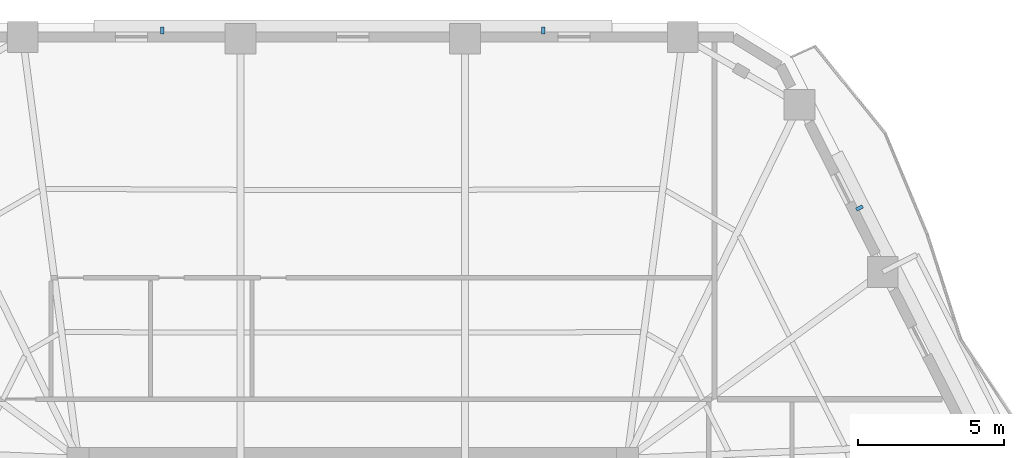
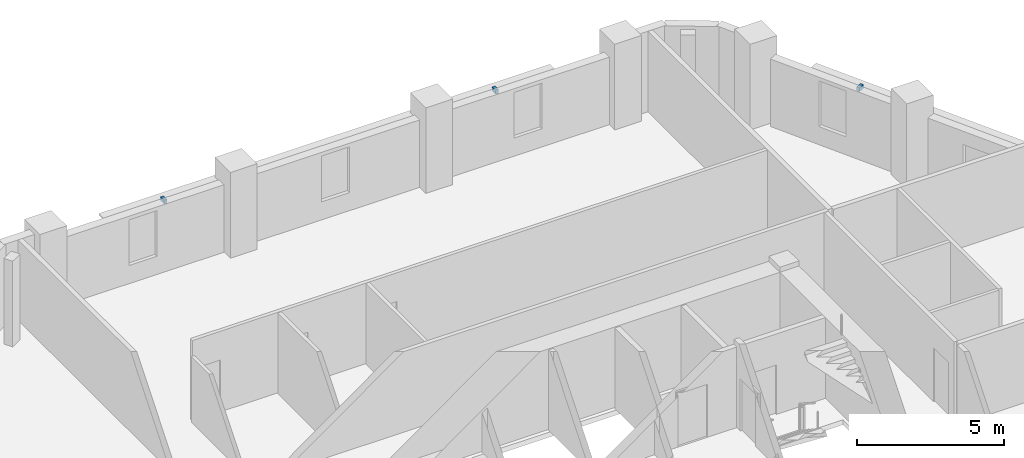
# One storey, part 9 of 12: 3 discrete accessories.
"""IFC4 building model written with IfcOpenShell, lengths in metres."""

from ifc_helpers import new_model, si_unit, direction, frame, origin, origin_2d, place, context, subcontext, project, spatial, rectangle, extrude, material, type_object, element, save


model = new_model("IFC4")

# Units and contexts
model_context = context("Model", 3, precision=1e-05, world=origin(), true_north=direction((0.0, 1.0)))
body_context = subcontext(model_context, "Body", "Model", "MODEL_VIEW")
ifc_project = project(units=[si_unit("LENGTHUNIT", "METRE"), si_unit("AREAUNIT", "SQUARE_METRE"), si_unit("VOLUMEUNIT", "CUBIC_METRE"), si_unit("PLANEANGLEUNIT", "RADIAN"), si_unit("MASSUNIT", "GRAM", prefix="KILO")], contexts=[model_context])

# Site, building, storey
site_placement = place(None, origin())
site = spatial("IfcSite", under=ifc_project, at=site_placement, CompositionType="ELEMENT")
building_placement = place(site_placement, origin())
building = spatial("IfcBuilding", under=site, at=building_placement, Name="Cinnabar Lancet Tower", CompositionType="ELEMENT")
storey_placement = place(building_placement, frame((0.0, 0.0, 123.25)))
storey = spatial("IfcBuildingStorey", under=building, at=storey_placement, Name="L32", CompositionType="ELEMENT", Elevation=123.25)

# Discrete accessories
ifc_material = material(Name="Stainless steel 316 facade fixing bracket", Category="steel")
discrete_accessory_type = type_object("IfcDiscreteAccessoryType", Name="ENV-ACC-BRK-180", PredefinedType="BRACKET", material=ifc_material)
for number, where, z_axis, x_axis, name in (
    (1, (49.698974609375, 41.827880859375, 2.60009765625), (0.0, 0.0, 1.0), (-0.451453853408, 0.892294468347, 0.0), "L32 Face 3 Sunshade Bracket B"),
    (2, (38.90087890625, 47.889892578125, 2.60009765625), (0.0, 0.0, 1.0), (-1.0, 0.0, 0.0), "L32 Face 4 Sunshade Bracket A"),
    (3, (25.89892578125, 47.889892578125, 2.60009765625), (0.0, 0.0, 1.0), (-1.0, 0.0, 0.0), "L32 Face 4 Sunshade Bracket B"),
):
    element("IfcDiscreteAccessory", number, at=place(storey_placement, frame(where, z_axis=z_axis, x_axis=x_axis)), inside=storey, type_object=discrete_accessory_type, Name=name, PredefinedType="BRACKET", context=body_context, shape_type="SweptSolid", body=[
        extrude(rectangle(XDim=0.1201171875, YDim=0.239990234375, at=origin_2d()), origin(), (0.0, 0.0, 1.0), 0.159912109375),
    ])

save(model, "model.ifc")
